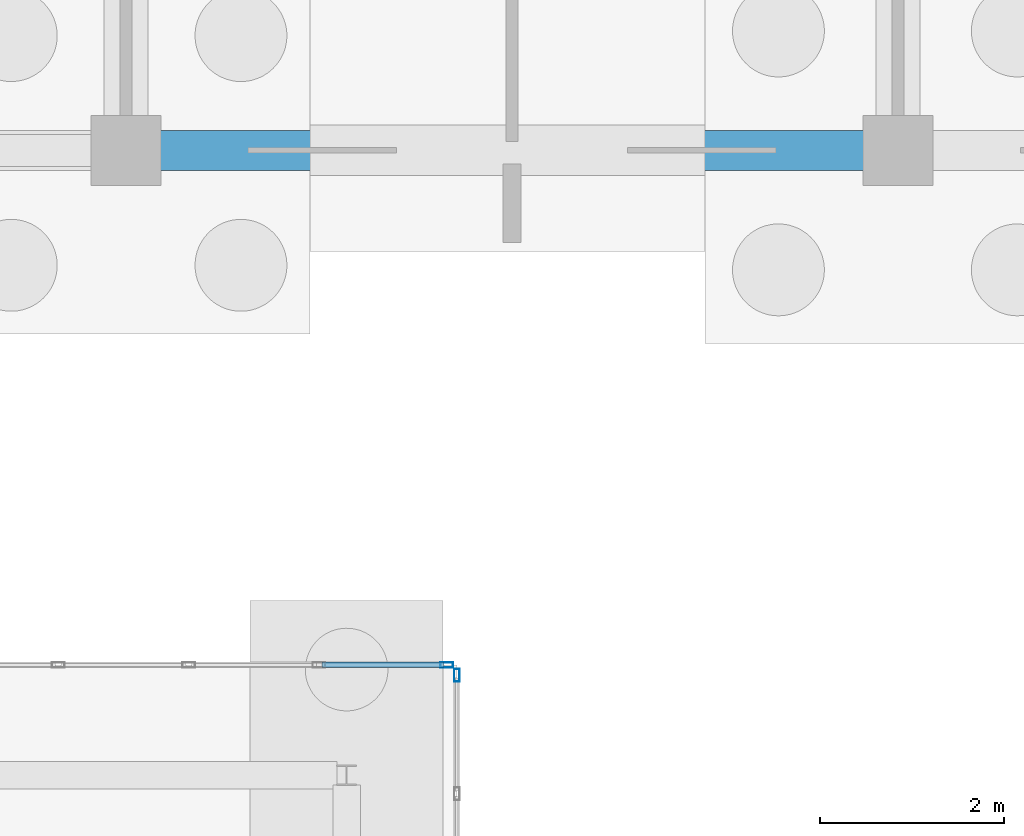
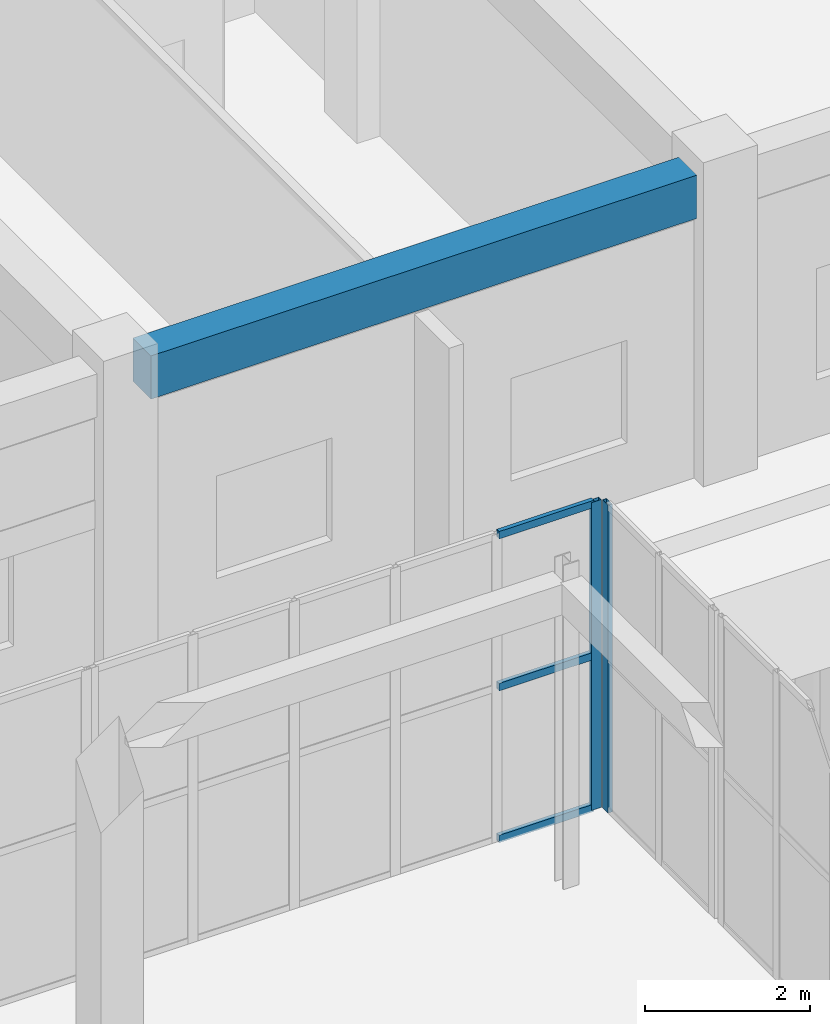
# One storey, part 120 of 192: 5 members, 1 beam, 2 elements without a shape of their own.
"""IFC4 building model written with IfcOpenShell, lengths in metres."""

from ifc_helpers import new_model, si_unit, direction, frame, origin, origin_2d, place, context, subcontext, project, spatial, rectangle, hollow_rectangle, extrude, material, layer, layer_set, material_profile, profile_set, type_object, element, aggregate, save


model = new_model("IFC4")

# Units and contexts
model_context = context("Model", 3, precision=1e-05, world=origin(), true_north=direction((0.0, 1.0)))
body_context = subcontext(model_context, "Body", "Model", "MODEL_VIEW")
ifc_project = project(units=[si_unit("LENGTHUNIT", "METRE"), si_unit("AREAUNIT", "SQUARE_METRE"), si_unit("VOLUMEUNIT", "CUBIC_METRE"), si_unit("PLANEANGLEUNIT", "RADIAN"), si_unit("MASSUNIT", "GRAM", prefix="KILO")], contexts=[model_context])

# Site, building, storey
site_placement = place(None, origin())
site = spatial("IfcSite", under=ifc_project, at=site_placement, CompositionType="ELEMENT")
building_placement = place(site_placement, origin())
building = spatial("IfcBuilding", under=site, at=building_placement, Name="Trelvath General Hospital", CompositionType="ELEMENT")
storey_placement = place(building_placement, origin())
storey = spatial("IfcBuildingStorey", under=building, at=storey_placement, Name="L00", CompositionType="ELEMENT", Elevation=0.0)

# Beam
ifc_material_1 = material(Name="Concrete C35/45", Category="concrete")
ifc_material_profile_1 = material_profile(ifc_material_1, rectangle(XDim=0.43994140625, YDim=0.639892578125, at=origin_2d()), Name="RCB440x640")
ifc_profile_set_1 = profile_set([ifc_material_profile_1], Name="Concrete C35/45")
beam_type = type_object("IfcBeamType", Name="Beam RC440x640", PredefinedType="BEAM", material=ifc_profile_set_1)
beam_placement = place(storey_placement, frame((117.97509765625, 92.39990234375, 4.199951171875), z_axis=(1.0, 0.0, 0.0), x_axis=(0.0, 1.0, 0.0)))
element("IfcBeam", 1, at=beam_placement, inside=storey, type_object=beam_type, Name="Grid Beam BX-014L", PredefinedType="BEAM", context=body_context, shape_type="SweptSolid", body=[
    extrude(rectangle(XDim=0.43994140625, YDim=0.639892578125, at=origin_2d()), origin(), (0.0, 0.0, 1.0), 7.64990234375),
])

# Curtain wall, member
ifc_material_2 = material(Name="Anodised aluminium and low-E glass", Category="aluminium")
ifc_layer_1 = layer(ifc_material_2, 0.139892578125)
ifc_layer_set_1 = layer_set([ifc_layer_1], Name="Anodised aluminium and low-E glass")
curtain_wall_type_1 = type_object("IfcCurtainWallType", Name="CW CrystalCube 710 456 14", PredefinedType="USERDEFINED", material=ifc_layer_set_1)
curtain_wall_1_placement = place(storey_placement, origin())
curtain_wall_1 = element("IfcCurtainWall", 2, at=curtain_wall_1_placement, inside=storey, type_object=curtain_wall_type_1, Name="Crystal Cube Curtain Wall CUBE-E-T0 N5 L00", ObjectType="Unitised Glazed Curtain Wall", PredefinedType="USERDEFINED")
ifc_material_3 = material(Name="Anodised aluminium", Category="aluminium")
ifc_material_profile_2 = material_profile(ifc_material_3, hollow_rectangle(XDim=0.06005859375, YDim=0.139892578125, WallThickness=0.00390625, at=origin_2d()), Name="RHS60x140x4")
ifc_profile_set_2 = profile_set([ifc_material_profile_2], Name="Anodised aluminium")
member_type_1 = type_object("IfcMemberType", Name="CurtainMullion 60x140", PredefinedType="MULLION", material=ifc_profile_set_2)
member_1_placement = place(storey_placement, frame((121.090087890625, 86.800048828125, 0.0), z_axis=(0.0, 0.0, 1.0), x_axis=(0.0, 1.0, 0.0)))
member_1 = element("IfcMember", 3, at=member_1_placement, type_object=member_type_1, Name="CW-115 mullion 6", PredefinedType="MULLION", context=body_context, shape_type="SweptSolid", body=[
    extrude(hollow_rectangle(XDim=0.06005859375, YDim=0.139892578125, WallThickness=0.00390625, at=origin_2d()), origin(), (0.0, 0.0, 1.0), 4.56005859375),
])

ifc_material_4 = material(Name="Anodised aluminium and low-E glass", Category="aluminium")
ifc_layer_2 = layer(ifc_material_4, 0.139892578125)
ifc_layer_set_2 = layer_set([ifc_layer_2], Name="Anodised aluminium and low-E glass")
curtain_wall_type_2 = type_object("IfcCurtainWallType", Name="CW CrystalCube 264 456 14", PredefinedType="USERDEFINED", material=ifc_layer_set_2)
curtain_wall_2_placement = place(storey_placement, origin())
curtain_wall_2 = element("IfcCurtainWall", 4, at=curtain_wall_2_placement, inside=storey, type_object=curtain_wall_type_2, Name="Crystal Cube Curtain Wall CUBE-E-T0 E7 L00", ObjectType="Unitised Glazed Curtain Wall", PredefinedType="USERDEFINED")
member_2_placement = place(storey_placement, frame((121.199951171875, 86.68994140625, 0.0), z_axis=(0.0, 0.0, 1.0), x_axis=(1.0, 0.0, 0.0)))
member_2 = element("IfcMember", 5, at=member_2_placement, type_object=member_type_1, Name="CW-126 mullion 1", PredefinedType="MULLION", context=body_context, shape_type="SweptSolid", body=[
    extrude(hollow_rectangle(XDim=0.06005859375, YDim=0.139892578125, WallThickness=0.00390625, at=origin_2d()), origin(), (0.0, 0.0, 1.0), 4.56005859375),
])
aggregate(curtain_wall_2, [member_2])

# Member
ifc_material_5 = material(Name="Anodised aluminium", Category="aluminium")
ifc_material_profile_3 = material_profile(ifc_material_5, hollow_rectangle(XDim=0.06005859375, YDim=0.110107421875, WallThickness=0.00390625, at=origin_2d()), Name="RHS60x110x4")
ifc_profile_set_3 = profile_set([ifc_material_profile_3], Name="Anodised aluminium")
member_type_2 = type_object("IfcMemberType", Name="CurtainTransom 60x110", PredefinedType="USERDEFINED", material=ifc_profile_set_3)
member_3_placement = place(storey_placement, frame((119.72998046875, 86.800048828125, 0.030029296875), z_axis=(1.0, 0.0, 0.0), x_axis=(0.0, 1.0, 0.0)))
member_3 = element("IfcMember", 6, at=member_3_placement, type_object=member_type_2, Name="CW-115 transom 5.1", ObjectType="TRANSOM", PredefinedType="USERDEFINED", context=body_context, shape_type="SweptSolid", body=[
    extrude(hollow_rectangle(XDim=0.06005859375, YDim=0.110107421875, WallThickness=0.00390625, at=origin_2d()), origin(), (0.0, 0.0, 1.0), 1.330078125),
])

member_4_placement = place(storey_placement, frame((119.72998046875, 86.800048828125, 2.280029296875), z_axis=(1.0, 0.0, 0.0), x_axis=(0.0, 1.0, 0.0)))
member_4 = element("IfcMember", 7, at=member_4_placement, type_object=member_type_2, Name="CW-115 transom 5.2", ObjectType="TRANSOM", PredefinedType="USERDEFINED", context=body_context, shape_type="SweptSolid", body=[
    extrude(hollow_rectangle(XDim=0.06005859375, YDim=0.110107421875, WallThickness=0.00390625, at=origin_2d()), origin(), (0.0, 0.0, 1.0), 1.330078125),
])

member_5_placement = place(storey_placement, frame((119.72998046875, 86.800048828125, 4.530029296875), z_axis=(1.0, 0.0, 0.0), x_axis=(0.0, 1.0, 0.0)))
member_5 = element("IfcMember", 8, at=member_5_placement, type_object=member_type_2, Name="CW-115 transom 5.3", ObjectType="TRANSOM", PredefinedType="USERDEFINED", context=body_context, shape_type="SweptSolid", body=[
    extrude(hollow_rectangle(XDim=0.06005859375, YDim=0.110107421875, WallThickness=0.00390625, at=origin_2d()), origin(), (0.0, 0.0, 1.0), 1.330078125),
])

aggregate(curtain_wall_1, [member_1, member_3, member_4, member_5])

save(model, "model.ifc")
